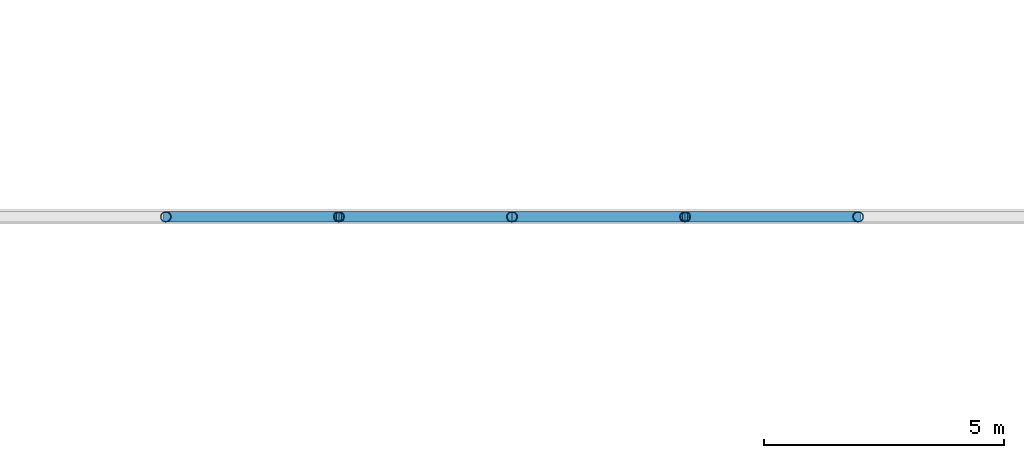
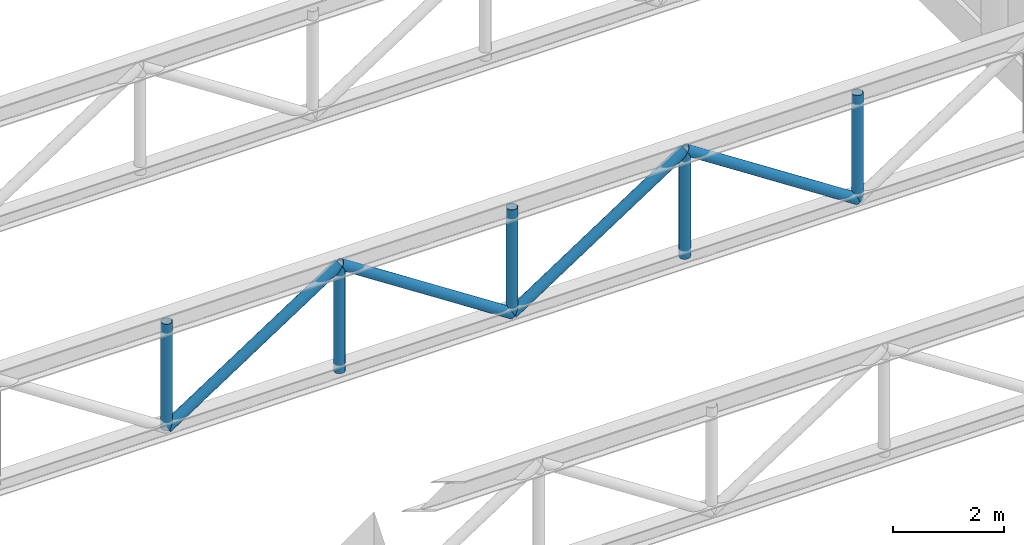
# One storey, part 95 of 153: 9 members.
"""IFC4 building model written with IfcOpenShell, lengths in metres."""

from ifc_helpers import new_model, si_unit, direction, frame, origin, origin_2d, place, context, subcontext, project, spatial, hollow_circle, extrude, material, material_profile, profile_set, type_object, element, save


model = new_model("IFC4")

# Units and contexts
model_context = context("Model", 3, precision=1e-05, world=origin(), true_north=direction((0.0, 1.0)))
body_context = subcontext(model_context, "Body", "Model", "MODEL_VIEW")
ifc_project = project(units=[si_unit("LENGTHUNIT", "METRE"), si_unit("AREAUNIT", "SQUARE_METRE"), si_unit("VOLUMEUNIT", "CUBIC_METRE"), si_unit("PLANEANGLEUNIT", "RADIAN"), si_unit("MASSUNIT", "GRAM", prefix="KILO")], contexts=[model_context])

# Site, building, storey
site_placement = place(None, origin())
site = spatial("IfcSite", under=ifc_project, at=site_placement, CompositionType="ELEMENT")
building_placement = place(site_placement, origin())
building = spatial("IfcBuilding", under=site, at=building_placement, Name="Qandorah Velis Arena", CompositionType="ELEMENT")
storey_placement = place(building_placement, frame((0.0, 0.0, 5.39990234375)))
storey = spatial("IfcBuildingStorey", under=building, at=storey_placement, Name="L01", CompositionType="ELEMENT", Elevation=5.39990234375)

# Members
ifc_material = material(Name="Steel S355", Category="steel")
ifc_material_profile = material_profile(ifc_material, hollow_circle(Radius=0.109619140625, WallThickness=0.010009765625, at=origin_2d()), Name="CHS 219.1x10")
ifc_profile_set = profile_set([ifc_material_profile], Name="Steel S355")
member_type = type_object("IfcMemberType", Name="STR-SFD-CHS219X10", PredefinedType="STRUT", material=ifc_profile_set)
member_1_placement = place(storey_placement, frame((144.0, 100.800048828125, 3.205078125), z_axis=(0.0, 0.0, 1.0), x_axis=(1.0, 0.0, 0.0)))
element("IfcMember", 1, at=member_1_placement, inside=storey, type_object=member_type, Name="Practice court roof truss 2 vertical 7", PredefinedType="STRUT", context=body_context, shape_type="SweptSolid", body=[
    extrude(hollow_circle(Radius=0.109619140625, WallThickness=0.010009765625, at=origin_2d()), origin(), (0.0, 0.0, 1.0), 2.35009765625),
])
member_2_placement = place(storey_placement, frame((144.0, 100.800048828125, 3.205078125), z_axis=(0.837375540217, 0.0, 0.546628031339), x_axis=(0.0, 1.0, 0.0)))
element("IfcMember", 2, at=member_2_placement, inside=storey, type_object=member_type, Name="Practice court roof truss 2 web diagonal 7", PredefinedType="STRUT", context=body_context, shape_type="SweptSolid", body=[
    extrude(hollow_circle(Radius=0.109619140625, WallThickness=0.010009765625, at=origin_2d()), origin(), (0.0, 0.0, 1.0), 4.29931640625),
])
member_3_placement = place(storey_placement, frame((147.60009765625, 100.800048828125, 3.205078125), z_axis=(0.0, 0.0, 1.0), x_axis=(1.0, 0.0, 0.0)))
element("IfcMember", 3, at=member_3_placement, inside=storey, type_object=member_type, Name="Practice court roof truss 2 vertical 8", PredefinedType="STRUT", context=body_context, shape_type="SweptSolid", body=[
    extrude(hollow_circle(Radius=0.109619140625, WallThickness=0.010009765625, at=origin_2d()), origin(), (0.0, 0.0, 1.0), 2.35009765625),
])
member_4_placement = place(storey_placement, frame((147.60009765625, 100.800048828125, 5.55517578125), z_axis=(0.837358571039, 0.0, -0.54665402542), x_axis=(0.0, 1.0, 0.0)))
element("IfcMember", 4, at=member_4_placement, inside=storey, type_object=member_type, Name="Practice court roof truss 2 web diagonal 8", PredefinedType="STRUT", context=body_context, shape_type="SweptSolid", body=[
    extrude(hollow_circle(Radius=0.109619140625, WallThickness=0.010009765625, at=origin_2d()), origin(), (0.0, 0.0, 1.0), 4.299072265625),
])
member_5_placement = place(storey_placement, frame((151.199951171875, 100.800048828125, 3.205078125), z_axis=(0.0, 0.0, 1.0), x_axis=(1.0, 0.0, 0.0)))
element("IfcMember", 5, at=member_5_placement, inside=storey, type_object=member_type, Name="Practice court roof truss 2 vertical 9", PredefinedType="STRUT", context=body_context, shape_type="SweptSolid", body=[
    extrude(hollow_circle(Radius=0.109619140625, WallThickness=0.010009765625, at=origin_2d()), origin(), (0.0, 0.0, 1.0), 2.35009765625),
])
member_6_placement = place(storey_placement, frame((151.199951171875, 100.800048828125, 3.205078125), z_axis=(0.837375540217, 0.0, 0.546628031339), x_axis=(0.0, 1.0, 0.0)))
element("IfcMember", 6, at=member_6_placement, inside=storey, type_object=member_type, Name="Practice court roof truss 2 web diagonal 9", PredefinedType="STRUT", context=body_context, shape_type="SweptSolid", body=[
    extrude(hollow_circle(Radius=0.109619140625, WallThickness=0.010009765625, at=origin_2d()), origin(), (0.0, 0.0, 1.0), 4.29931640625),
])
member_7_placement = place(storey_placement, frame((154.800048828125, 100.800048828125, 3.205078125), z_axis=(0.0, 0.0, 1.0), x_axis=(1.0, 0.0, 0.0)))
element("IfcMember", 7, at=member_7_placement, inside=storey, type_object=member_type, Name="Practice court roof truss 2 vertical 10", PredefinedType="STRUT", context=body_context, shape_type="SweptSolid", body=[
    extrude(hollow_circle(Radius=0.109619140625, WallThickness=0.010009765625, at=origin_2d()), origin(), (0.0, 0.0, 1.0), 2.35009765625),
])
member_8_placement = place(storey_placement, frame((154.800048828125, 100.800048828125, 5.55517578125), z_axis=(0.837358571039, 0.0, -0.54665402542), x_axis=(0.0, 1.0, 0.0)))
element("IfcMember", 8, at=member_8_placement, inside=storey, type_object=member_type, Name="Practice court roof truss 2 web diagonal 10", PredefinedType="STRUT", context=body_context, shape_type="SweptSolid", body=[
    extrude(hollow_circle(Radius=0.109619140625, WallThickness=0.010009765625, at=origin_2d()), origin(), (0.0, 0.0, 1.0), 4.299072265625),
])
member_9_placement = place(storey_placement, frame((158.39990234375, 100.800048828125, 3.205078125), z_axis=(0.0, 0.0, 1.0), x_axis=(1.0, 0.0, 0.0)))
element("IfcMember", 9, at=member_9_placement, inside=storey, type_object=member_type, Name="Practice court roof truss 2 vertical 11", PredefinedType="STRUT", context=body_context, shape_type="SweptSolid", body=[
    extrude(hollow_circle(Radius=0.109619140625, WallThickness=0.010009765625, at=origin_2d()), origin(), (0.0, 0.0, 1.0), 2.35009765625),
])

save(model, "model.ifc")
